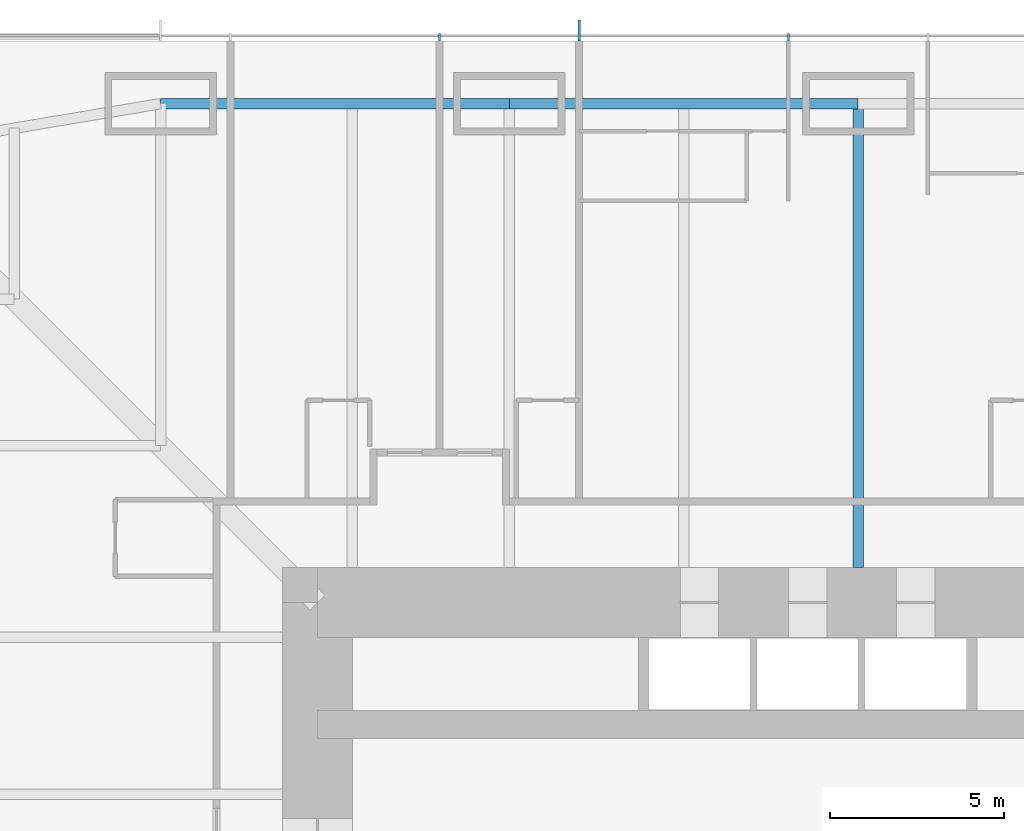
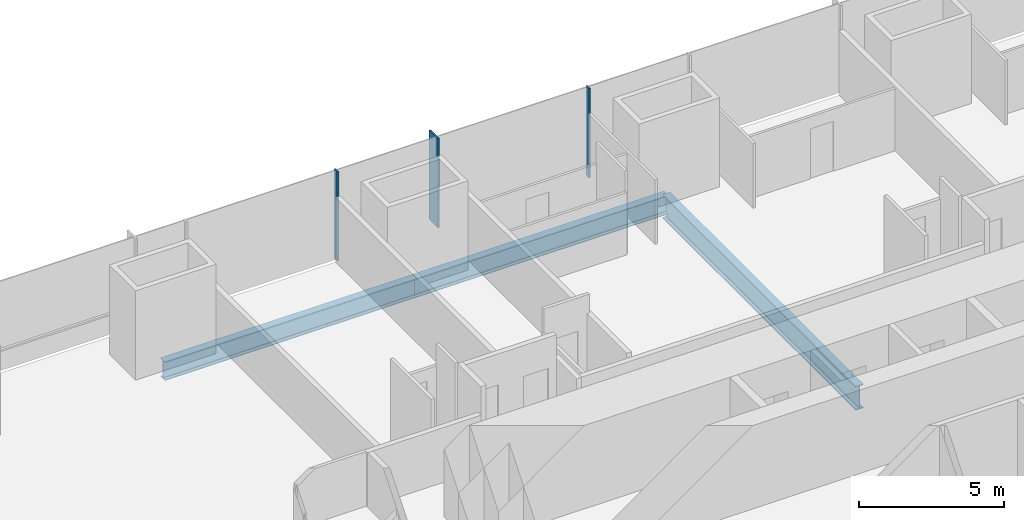
# One storey, part 7 of 17: 3 beams, 3 members, 1 element without a shape of its own.
"""IFC4 building model written with IfcOpenShell, lengths in metres."""

import ifcopenshell
import ifcopenshell.guid

model = None  # the IFC model being written
_history = None  # IfcOwnerHistory: only IFC2X3 demands one
_inside = {}  # id of a spatial element -> (the spatial element, [elements in it])
_under = {}  # id of a project, library or spatial element -> (it, [spatial elements below it])
_declared = {}  # id of a project -> (the project, [libraries it declares])
_typed = {}  # id of a type object -> (the type object, [elements of that type])
_made_of = {}  # id of a material, layer set ... -> (it, [elements and type objects made of it])


def new_model(schema):
    """Start an empty IFC model of exactly this schema.

    Asked for "IFC4X3", IfcOpenShell would pick the latest addendum, in which some entities
    have other attributes; the version numbers below select the first issue.
    IFC2X3 requires an IfcOwnerHistory on every rooted entity: one is made here for all.
    """
    global model, _history
    if schema == "IFC4X3":
        model = ifcopenshell.file(schema_version=(4, 3, 0, 0))
    else:
        model = ifcopenshell.file(schema=schema)
    _inside.clear()
    _under.clear()
    _declared.clear()
    _typed.clear()
    _made_of.clear()
    _history = None
    if model.schema == "IFC2X3":
        org = make("IfcOrganization", Name="unknown")
        user = make(
            "IfcPersonAndOrganization",
            ThePerson=make("IfcPerson", FamilyName="unknown"),
            TheOrganization=org,
        )
        app = make(
            "IfcApplication",
            ApplicationDeveloper=org,
            Version="unknown",
            ApplicationFullName="unknown",
            ApplicationIdentifier="unknown",
        )
        _history = make(
            "IfcOwnerHistory",
            OwningUser=user,
            OwningApplication=app,
            ChangeAction="ADDED",
            CreationDate=0,
        )
    return model


def make(cls, **values):
    """One entity of the class cls with the attributes given. An attribute that is None is left unset."""
    return model.create_entity(
        cls, **{name: value for name, value in values.items() if value is not None}
    )


def rooted(cls, **values):
    """An entity with a GlobalId (a new one), such as an element, a storey or a relation."""
    return make(cls, GlobalId=ifcopenshell.guid.new(), OwnerHistory=_history, **values)


def si_unit(unit_type, name, prefix=None):
    """IfcSIUnit, for example si_unit("LENGTHUNIT", "METRE", prefix="MILLI")."""
    return make("IfcSIUnit", UnitType=unit_type, Prefix=prefix, Name=name)


def assignment(units):
    """IfcUnitAssignment: the units of a project."""
    return None if units is None else make("IfcUnitAssignment", Units=units)


def point(xyz):
    """IfcCartesianPoint."""
    return None if xyz is None else make("IfcCartesianPoint", Coordinates=xyz)


def direction(xyz):
    """IfcDirection."""
    return None if xyz is None else make("IfcDirection", DirectionRatios=xyz)


def frame(location, z_axis=None, x_axis=None):
    """IfcAxis2Placement3D, a coordinate frame: its origin and axes. An axis left out is left unset."""
    return make(
        "IfcAxis2Placement3D",
        Location=point(location),
        Axis=direction(z_axis),
        RefDirection=direction(x_axis),
    )


def frame_2d(location, x_axis=None):
    """IfcAxis2Placement2D, a coordinate frame in the plane: its origin and x axis."""
    return make(
        "IfcAxis2Placement2D", Location=point(location), RefDirection=direction(x_axis)
    )


def origin():
    """The frame at (0, 0, 0) with its axes left unset."""
    return frame((0.0, 0.0, 0.0))


def origin_2d():
    """The frame at (0, 0) in the plane with its x axis left unset."""
    return frame_2d((0.0, 0.0))


def place(relative_to, where):
    """IfcLocalPlacement: puts the frame where relative to a parent placement (None: the world)."""
    return make(
        "IfcLocalPlacement", PlacementRelTo=relative_to, RelativePlacement=where
    )


def context(
    kind, dimensions, precision=None, world=None, true_north=None, identifier=None
):
    """IfcGeometricRepresentationContext, for example the 3D "Model" context."""
    return make(
        "IfcGeometricRepresentationContext",
        ContextIdentifier=identifier,
        ContextType=kind,
        CoordinateSpaceDimension=dimensions,
        Precision=precision,
        WorldCoordinateSystem=world,
        TrueNorth=true_north,
    )


def subcontext(parent, identifier, kind, view, scale=None):
    """IfcGeometricRepresentationSubContext, for example "Body" below "Model"."""
    return make(
        "IfcGeometricRepresentationSubContext",
        ContextIdentifier=identifier,
        ContextType=kind,
        ParentContext=parent,
        TargetScale=scale,
        TargetView=view,
    )


def project(units=None, contexts=None):
    """IfcProject with its units and contexts."""
    return rooted(
        "IfcProject",
        Name="project",
        RepresentationContexts=contexts,
        UnitsInContext=assignment(units),
    )


def spatial(cls, under=None, at=None, **own):
    """A site, building, storey or space (cls), placed at a placement, below another one or the project."""
    s = rooted(cls, ObjectPlacement=at, **own)
    if under is not None:
        _under.setdefault(under.id(), (under, []))[1].append(s)
    return s


def profile(cls, at=None, kind="AREA", **sizes):
    """A parametric profile (cls). Its sizes go by their IFC names, for example OverallWidth=200.0."""
    return make(cls, ProfileType=kind, Position=at, **sizes)


def rectangle(**sizes):
    """IfcRectangleProfileDef."""
    return profile("IfcRectangleProfileDef", **sizes)


def i_section(**sizes):
    """IfcIShapeProfileDef."""
    return profile("IfcIShapeProfileDef", **sizes)


def extrude(swept, where, along, depth):
    """IfcExtrudedAreaSolid: the profile swept, set in the frame where, extruded along a direction by depth."""
    return make(
        "IfcExtrudedAreaSolid",
        SweptArea=swept,
        Position=where,
        ExtrudedDirection=direction(along),
        Depth=depth,
    )


def shape(context_of_items, identifier, shape_type, items):
    """IfcShapeRepresentation: the items that make up one representation, for example the "Body"."""
    return make(
        "IfcShapeRepresentation",
        ContextOfItems=context_of_items,
        RepresentationIdentifier=identifier,
        RepresentationType=shape_type,
        Items=items,
    )


def material(Name=None, Category=None):
    """IfcMaterial."""
    return make("IfcMaterial", Name=Name, Category=Category)


def material_profile(
    of_material, cross_section, Name=None, Category=None, Priority=None
):
    """IfcMaterialProfile: a cross section and its material."""
    return make(
        "IfcMaterialProfile",
        Name=Name,
        Material=of_material,
        Profile=cross_section,
        Priority=Priority,
        Category=Category,
    )


def profile_set(profiles, Name=None, composite=None):
    """IfcMaterialProfileSet."""
    return make(
        "IfcMaterialProfileSet",
        Name=Name,
        MaterialProfiles=profiles,
        CompositeProfile=composite,
    )


def made_of(thing, what):
    """Note that an element or type object is made of a material, layer set ...; save() writes the relation."""
    if what is not None:
        _made_of.setdefault(what.id(), (what, []))[1].append(thing)
    return thing


def type_object(cls, material=None, **own):
    """A type object (cls), such as IfcWallType, which elements share."""
    return made_of(rooted(cls, **own), material)


def element(
    cls,
    number,
    at=None,
    inside=None,
    cuts=None,
    type_object=None,
    material=None,
    context=None,
    identifier="Body",
    shape_type=None,
    held_by="IfcProductDefinitionShape",
    body=None,
    shapes=None,
    **own,
):
    """One element of the class cls, such as IfcWall. Its Tag is "e" and its number.

    at: its placement. inside: the storey or other place that contains it. cuts: it is an
    opening in that element (IfcRelVoidsElement). A single representation is given by context,
    identifier, shape_type and body (its items); several are given by shapes. held_by: the class
    of the entity that holds the representations. save() writes the other relations.
    """
    e = rooted(cls, Tag="e%d" % number, ObjectPlacement=at, **own)
    if body is not None:
        shapes = [shape(context, identifier, shape_type, body)]
    if shapes is not None:
        e.Representation = make(held_by, Representations=shapes)
    if inside is not None:
        _inside.setdefault(inside.id(), (inside, []))[1].append(e)
    if cuts is not None:
        rooted(
            "IfcRelVoidsElement", RelatingBuildingElement=cuts, RelatedOpeningElement=e
        )
    if type_object is not None:
        _typed.setdefault(type_object.id(), (type_object, []))[1].append(e)
    return made_of(e, material)


def aggregate(whole, parts):
    """IfcRelAggregates: a whole, such as a stair, and the parts it consists of."""
    return rooted("IfcRelAggregates", RelatingObject=whole, RelatedObjects=parts)


def save(model, path):
    """Write the relations noted so far, then the file.

    IfcRelAggregates (storeys below a building ...), IfcRelContainedInSpatialStructure (elements
    in a storey), IfcRelDefinesByType, IfcRelAssociatesMaterial and IfcRelDeclares: one each for
    every whole, place, type object, material and project.
    """
    for whole, parts in _under.values():
        aggregate(whole, parts)
    for where, things in _inside.values():
        rooted(
            "IfcRelContainedInSpatialStructure",
            RelatedElements=things,
            RelatingStructure=where,
        )
    for kind, things in _typed.values():
        rooted("IfcRelDefinesByType", RelatedObjects=things, RelatingType=kind)
    for what, things in _made_of.values():
        rooted("IfcRelAssociatesMaterial", RelatedObjects=things, RelatingMaterial=what)
    for by, libraries in _declared.values():
        rooted("IfcRelDeclares", RelatingContext=by, RelatedDefinitions=libraries)
    model.write(path)


model = new_model("IFC4")

# Units and contexts
model_context = context("Model", 3, precision=1e-05, world=origin(), true_north=direction((0.0, 1.0)))
body_context = subcontext(model_context, "Body", "Model", "MODEL_VIEW")
ifc_project = project(units=[si_unit("LENGTHUNIT", "METRE"), si_unit("AREAUNIT", "SQUARE_METRE"), si_unit("VOLUMEUNIT", "CUBIC_METRE"), si_unit("PLANEANGLEUNIT", "RADIAN"), si_unit("MASSUNIT", "GRAM", prefix="KILO")], contexts=[model_context])

# Site, building, storey
site_placement = place(None, origin())
site = spatial("IfcSite", under=ifc_project, at=site_placement, CompositionType="ELEMENT")
building_placement = place(site_placement, origin())
building = spatial("IfcBuilding", under=site, at=building_placement, Name="Khuree Lantern Residences", CompositionType="ELEMENT")
storey_placement = place(building_placement, frame((0.0, 0.0, 39.75)))
storey = spatial("IfcBuildingStorey", under=building, at=storey_placement, Name="L09", CompositionType="ELEMENT", Elevation=39.75)

# Beams
ifc_material_1 = material(Name="Steel S355", Category="steel")
ifc_material_profile_1 = material_profile(ifc_material_1, i_section(OverallWidth=0.300048828125, OverallDepth=0.7900390625, WebThickness=0.014892578125, FlangeThickness=0.028076171875, FilletRadius=0.030029296875, at=origin_2d()), Name="HE 800 A")
ifc_profile_set_1 = profile_set([ifc_material_profile_1], Name="Steel S355")
beam_type_1 = type_object("IfcBeamType", Name="E-12 SPANDREL BEAM HE 800 A", PredefinedType="SPANDREL", material=ifc_profile_set_1)
for number, where, z_axis, x_axis, name in (
    (1, (-20.0, 29.800048828125, -0.64501953125), (1.0, 0.0, 0.0), (0.0, 1.0, 0.0), "Spandrel beam N1"),
    (2, (-10.0, 29.800048828125, -0.64501953125), (1.0, 0.0, 0.0), (0.0, 1.0, 0.0), "Spandrel beam N2"),
):
    element("IfcBeam", number, at=place(storey_placement, frame(where, z_axis=z_axis, x_axis=x_axis)), inside=storey, type_object=beam_type_1, Name=name, PredefinedType="SPANDREL", context=body_context, shape_type="SweptSolid", body=[
        extrude(i_section(OverallWidth=0.300048828125, OverallDepth=0.7900390625, WebThickness=0.014892578125, FlangeThickness=0.028076171875, FilletRadius=0.030029296875, at=origin_2d()), origin(), (0.0, 0.0, 1.0), 10.0),
    ])

# Curtain wall, member
ifc_material_2 = material(Name="Bronze anodised aluminium", Category="aluminium")
curtain_wall_type = type_object("IfcCurtainWallType", Name="CW-T1 TOWER FACE CURTAIN WALL", PredefinedType="USERDEFINED", material=ifc_material_2)
curtain_wall_placement = place(storey_placement, origin())
curtain_wall = element("IfcCurtainWall", 3, at=curtain_wall_placement, inside=storey, type_object=curtain_wall_type, Name="L09 NORTH FACE CURTAIN WALL", ObjectType="Stick-built curtain wall", PredefinedType="USERDEFINED")
ifc_material_profile_2 = material_profile(ifc_material_2, rectangle(XDim=0.06494140625, YDim=0.60009765625, at=origin_2d()), Name="F1 65X600")
ifc_profile_set_2 = profile_set([ifc_material_profile_2], Name="Bronze anodised aluminium")
member_type_1 = type_object("IfcMemberType", Name="F1 BRONZE FIN MULLION TOWER 65X600", PredefinedType="MULLION", material=ifc_profile_set_2)
member_1_placement = place(storey_placement, frame((-8.0, 31.89990234375, 0.0), z_axis=(0.0, 0.0, 1.0), x_axis=(-1.0, 0.0, 0.0)))
member_1 = element("IfcMember", 4, at=member_1_placement, type_object=member_type_1, Name="L09 NORTH FACE FIN MULLION 25", PredefinedType="MULLION", context=body_context, shape_type="SweptSolid", body=[
    extrude(rectangle(XDim=0.06494140625, YDim=0.60009765625, at=origin_2d()), origin(), (0.0, 0.0, 1.0), 3.75),
])

# Beam
ifc_material_profile_3 = material_profile(ifc_material_1, i_section(OverallWidth=0.302001953125, OverallDepth=1.008056640625, WebThickness=0.02099609375, FlangeThickness=0.0400390625, FilletRadius=0.030029296875, at=origin_2d()), Name="HE 1000 M")
ifc_profile_set_3 = profile_set([ifc_material_profile_3], Name="Steel S355")
beam_type_2 = type_object("IfcBeamType", Name="G-12 GIRDER HE 1000 M", PredefinedType="BEAM", material=ifc_profile_set_3)
beam_placement = place(storey_placement, frame((0.0, 29.800048828125, -0.75390625), z_axis=(0.0, -1.0, 0.0), x_axis=(1.0, 0.0, 0.0)))
element("IfcBeam", 5, at=beam_placement, inside=storey, type_object=beam_type_2, Name="Girder N3", PredefinedType="BEAM", context=body_context, shape_type="SweptSolid", body=[
    extrude(i_section(OverallWidth=0.302001953125, OverallDepth=1.008056640625, WebThickness=0.02099609375, FlangeThickness=0.0400390625, FilletRadius=0.030029296875, at=origin_2d()), origin(), (0.0, 0.0, 1.0), 13.300048828125),
])

# Member
ifc_material_profile_4 = material_profile(ifc_material_2, rectangle(XDim=0.06494140625, YDim=0.219970703125, at=origin_2d()), Name="M1 65X220")
ifc_profile_set_4 = profile_set([ifc_material_profile_4], Name="Bronze anodised aluminium")
member_type_2 = type_object("IfcMemberType", Name="M1 BRONZE MULLION TOWER 65X220", PredefinedType="MULLION", material=ifc_profile_set_4)
member_2_placement = place(storey_placement, frame((-2.0, 31.7099609375, 0.0), z_axis=(0.0, 0.0, 1.0), x_axis=(-1.0, 0.0, 0.0)))
member_2 = element("IfcMember", 6, at=member_2_placement, type_object=member_type_2, Name="L09 NORTH FACE MULLION 24", PredefinedType="MULLION", context=body_context, shape_type="SweptSolid", body=[
    extrude(rectangle(XDim=0.06494140625, YDim=0.219970703125, at=origin_2d()), origin(), (0.0, 0.0, 1.0), 3.75),
])

member_3_placement = place(storey_placement, frame((-12.0, 31.7099609375, 0.0), z_axis=(0.0, 0.0, 1.0), x_axis=(-1.0, 0.0, 0.0)))
member_3 = element("IfcMember", 7, at=member_3_placement, type_object=member_type_2, Name="L09 NORTH FACE MULLION 26", PredefinedType="MULLION", context=body_context, shape_type="SweptSolid", body=[
    extrude(rectangle(XDim=0.06494140625, YDim=0.219970703125, at=origin_2d()), origin(), (0.0, 0.0, 1.0), 3.75),
])

aggregate(curtain_wall, [member_2, member_1, member_3])

save(model, "model.ifc")
